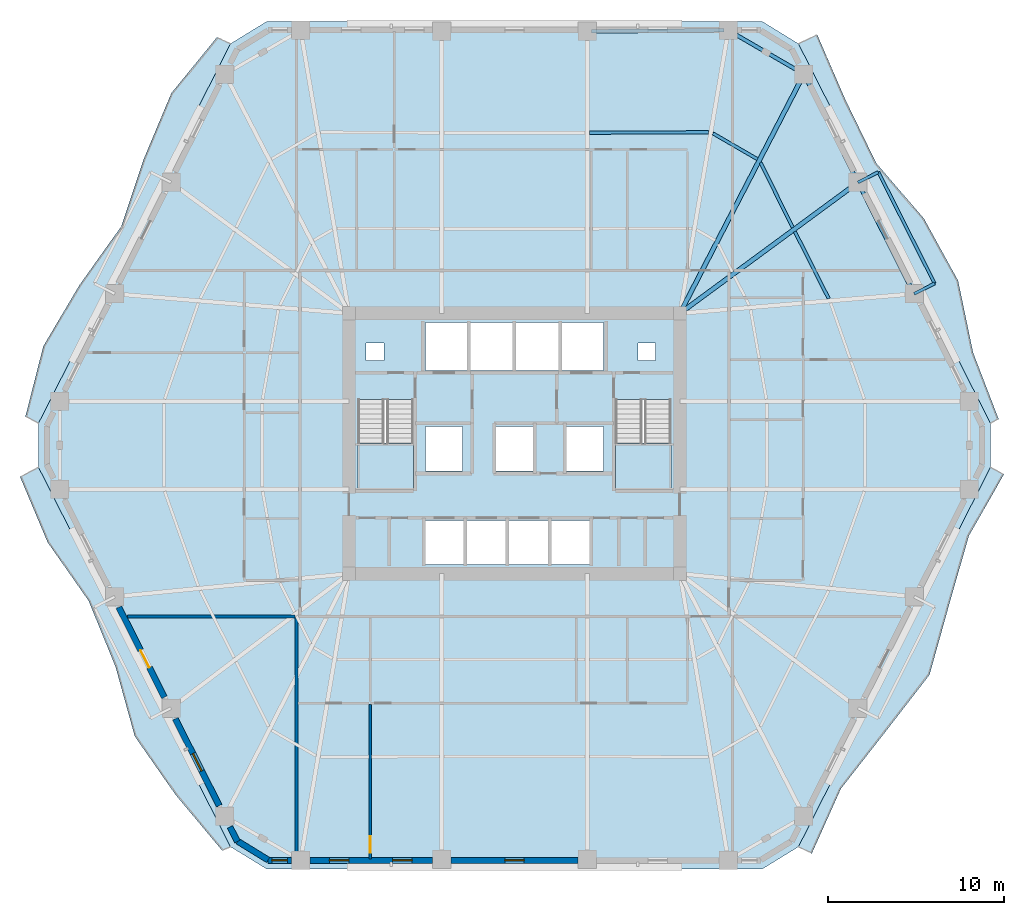
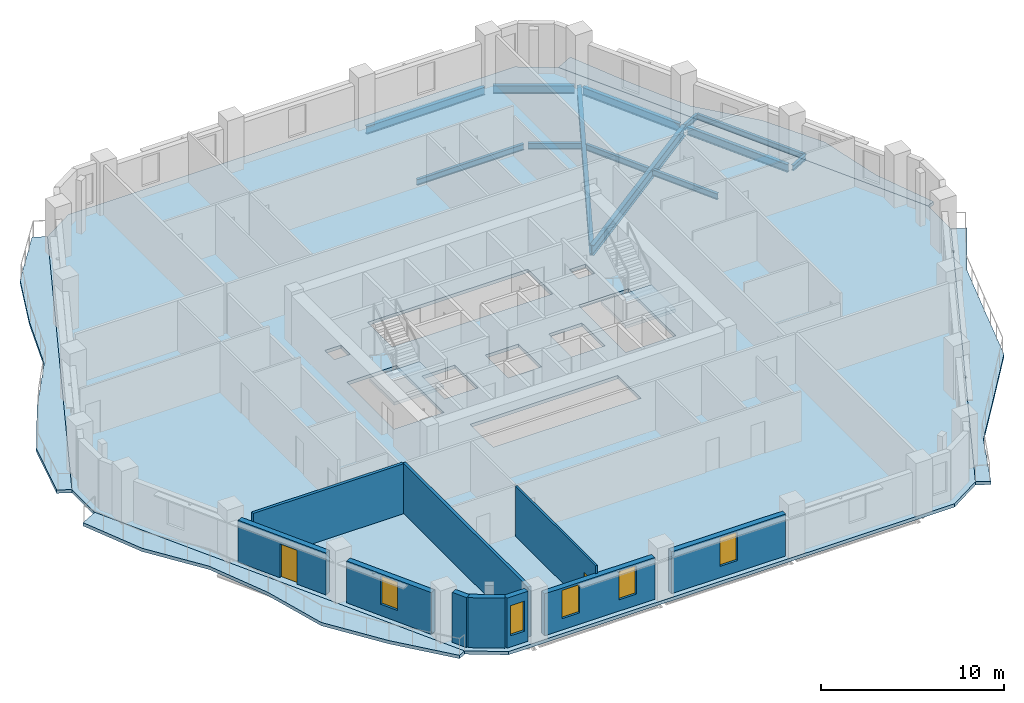
# One storey, part 3 of 13: 13 beams, 10 walls, 7 slabs, 5 windows, 2 doors, 7 openings, 2 elements without a shape of their own.
"""IFC4 building model written with IfcOpenShell, lengths in metres."""

from ifc_helpers import new_model, si_unit, direction, frame, frame_2d, origin, origin_2d, place, context, subcontext, project, spatial, polyline, rectangle, i_section, outline, extrude, material, layer, layer_set, material_profile, profile_set, type_object, element, fill, aggregate, save


model = new_model("IFC4")

# Units and contexts
model_context = context("Model", 3, precision=1e-05, world=origin(), true_north=direction((0.0, 1.0)))
body_context = subcontext(model_context, "Body", "Model", "MODEL_VIEW")
ifc_project = project(units=[si_unit("LENGTHUNIT", "METRE"), si_unit("AREAUNIT", "SQUARE_METRE"), si_unit("VOLUMEUNIT", "CUBIC_METRE"), si_unit("PLANEANGLEUNIT", "RADIAN"), si_unit("MASSUNIT", "GRAM", prefix="KILO")], contexts=[model_context])

# Site, building, storey
site_placement = place(None, origin())
site = spatial("IfcSite", under=ifc_project, at=site_placement, CompositionType="ELEMENT")
building_placement = place(site_placement, origin())
building = spatial("IfcBuilding", under=site, at=building_placement, Name="Cinnabar Lancet Tower", CompositionType="ELEMENT")
storey_placement = place(building_placement, frame((0.0, 0.0, 80.0)))
storey = spatial("IfcBuildingStorey", under=building, at=storey_placement, Name="L20", CompositionType="ELEMENT", Elevation=80.0)

# Beams
ifc_material_1 = material(Name="Structural steel S355", Category="steel")
ifc_material_profile_1 = material_profile(ifc_material_1, i_section(OverallWidth=0.177978515625, OverallDepth=0.406494140625, WebThickness=0.0078125, FlangeThickness=0.0126953125, FilletRadius=0.01025390625, at=origin_2d()), Name="UKB 406x178x60")
ifc_profile_set_1 = profile_set([ifc_material_profile_1], Name="Structural steel S355")
beam_type_1 = type_object("IfcBeamType", Name="STR-BM-JST-406", PredefinedType="JOIST", material=ifc_profile_set_1)
beam_1_placement = place(storey_placement, frame((50.20703125, 34.10400390625, -0.423095703125), z_axis=(-0.450763900798, 0.892643213012, 0.0), x_axis=(-0.892643213012, -0.450763900798, 0.0)))
element("IfcBeam", 1, at=beam_1_placement, inside=storey, type_object=beam_type_1, Name="L20 Secondary Floor Joist 27", PredefinedType="JOIST", context=body_context, shape_type="SweptSolid", body=[
    extrude(i_section(OverallWidth=0.177978515625, OverallDepth=0.406494140625, WebThickness=0.0078125, FlangeThickness=0.0126953125, FilletRadius=0.01025390625, at=origin_2d()), origin(), (0.0, 0.0, 1.0), 4.25927734375),
])
beam_2_placement = place(storey_placement, frame((48.1708984375, 38.135986328125, -0.423095703125), z_axis=(-0.445617778616, 0.895223321513, 0.0), x_axis=(-0.895223321513, -0.445617778616, 0.0)))
element("IfcBeam", 2, at=beam_2_placement, inside=storey, type_object=beam_type_1, Name="L20 Secondary Floor Joist 29", PredefinedType="JOIST", context=body_context, shape_type="SweptSolid", body=[
    extrude(i_section(OverallWidth=0.177978515625, OverallDepth=0.406494140625, WebThickness=0.0078125, FlangeThickness=0.0126953125, FilletRadius=0.01025390625, at=origin_2d()), origin(), (0.0, 0.0, 1.0), 4.101806640625),
])
beam_3_placement = place(storey_placement, frame((46.1630859375, 42.011962890625, -0.423095703125), z_axis=(-0.865230791262, 0.501373790551, 0.0), x_axis=(-0.501373790551, -0.865230791262, 0.0)))
element("IfcBeam", 3, at=beam_3_placement, inside=storey, type_object=beam_type_1, Name="L20 Secondary Floor Joist 31", PredefinedType="JOIST", context=body_context, shape_type="SweptSolid", body=[
    extrude(i_section(OverallWidth=0.177978515625, OverallDepth=0.406494140625, WebThickness=0.0078125, FlangeThickness=0.0126953125, FilletRadius=0.01025390625, at=origin_2d()), origin(), (0.0, 0.0, 1.0), 2.907958984375),
])
beam_4_placement = place(storey_placement, frame((43.40087890625, 43.537109375, -0.423095703125), z_axis=(-0.99998860979, -0.004772870136, 0.0), x_axis=(0.004772870136, -0.99998860979, 0.0)))
element("IfcBeam", 4, at=beam_4_placement, inside=storey, type_object=beam_type_1, Name="L20 Secondary Floor Joist 33", PredefinedType="JOIST", context=body_context, shape_type="SweptSolid", body=[
    extrude(i_section(OverallWidth=0.177978515625, OverallDepth=0.406494140625, WebThickness=0.0078125, FlangeThickness=0.0126953125, FilletRadius=0.01025390625, at=origin_2d()), origin(), (0.0, 0.0, 1.0), 6.751953125),
])
ifc_material_2 = material(Name="Structural steel S355", Category="steel")
ifc_material_profile_2 = material_profile(ifc_material_2, i_section(OverallWidth=0.209228515625, OverallDepth=0.533203125, WebThickness=0.010009765625, FlangeThickness=0.015625, FilletRadius=0.0126953125, at=origin_2d()), Name="UKB 533x210x92")
ifc_profile_set_2 = profile_set([ifc_material_profile_2], Name="Structural steel S355")
beam_type_2 = type_object("IfcBeamType", Name="STR-BM-SPN-533", PredefinedType="SPANDREL", material=ifc_profile_set_2)
beam_5_placement = place(storey_placement, frame((54.93310546875, 34.60302734375, -0.487060546875), z_axis=(-0.450703143926, 0.892673891214, 0.0), x_axis=(-0.892673891214, -0.450703143926, 0.0)))
element("IfcBeam", 5, at=beam_5_placement, inside=storey, type_object=beam_type_2, Name="L20 Perimeter Spandrel 10", PredefinedType="SPANDREL", context=body_context, shape_type="SweptSolid", body=[
    extrude(i_section(OverallWidth=0.209228515625, OverallDepth=0.533203125, WebThickness=0.010009765625, FlangeThickness=0.015625, FilletRadius=0.0126953125, at=origin_2d()), origin(), (0.0, 0.0, 1.0), 6.570068359375),
])
beam_6_placement = place(storey_placement, frame((51.748046875, 40.9150390625, -0.487060546875), z_axis=(-0.445953050023, 0.89505635419, 0.0), x_axis=(-0.89505635419, -0.445953050023, 0.0)))
element("IfcBeam", 6, at=beam_6_placement, inside=storey, type_object=beam_type_2, Name="L20 Perimeter Spandrel 11", PredefinedType="SPANDREL", context=body_context, shape_type="SweptSolid", body=[
    extrude(i_section(OverallWidth=0.209228515625, OverallDepth=0.533203125, WebThickness=0.010009765625, FlangeThickness=0.015625, FilletRadius=0.0126953125, at=origin_2d()), origin(), (0.0, 0.0, 1.0), 6.35498046875),
])
beam_7_placement = place(storey_placement, frame((48.5869140625, 46.951904296875, -0.487060546875), z_axis=(-0.865147238596, 0.501517951374, 0.0), x_axis=(-0.501517951374, -0.865147238596, 0.0)))
element("IfcBeam", 7, at=beam_7_placement, inside=storey, type_object=beam_type_2, Name="L20 Perimeter Spandrel 12", PredefinedType="SPANDREL", context=body_context, shape_type="SweptSolid", body=[
    extrude(i_section(OverallWidth=0.209228515625, OverallDepth=0.533203125, WebThickness=0.010009765625, FlangeThickness=0.015625, FilletRadius=0.0126953125, at=origin_2d()), origin(), (0.0, 0.0, 1.0), 4.454833984375),
])
beam_8_placement = place(storey_placement, frame((44.26708984375, 49.30908203125, -0.487060546875), z_axis=(-0.99997856757, -0.006547090947, 0.0), x_axis=(0.006547090947, -0.99997856757, 0.0)))
element("IfcBeam", 8, at=beam_8_placement, inside=storey, type_object=beam_type_2, Name="L20 Perimeter Spandrel 13", PredefinedType="SPANDREL", context=body_context, shape_type="SweptSolid", body=[
    extrude(i_section(OverallWidth=0.209228515625, OverallDepth=0.533203125, WebThickness=0.010009765625, FlangeThickness=0.015625, FilletRadius=0.0126953125, at=origin_2d()), origin(), (0.0, 0.0, 1.0), 7.495361328125),
])
ifc_material_3 = material(Name="Structural steel S355", Category="steel")
ifc_material_profile_3 = material_profile(ifc_material_3, i_section(OverallWidth=0.253662109375, OverallDepth=0.68359375, WebThickness=0.012451171875, FlangeThickness=0.01904296875, FilletRadius=0.01513671875, at=origin_2d()), Name="UKB 686x254x140")
ifc_profile_set_3 = profile_set([ifc_material_profile_3], Name="Structural steel S355")
beam_type_3 = type_object("IfcBeamType", Name="STR-BM-UKB686-140", PredefinedType="BEAM", material=ifc_profile_set_3)
beam_9_placement = place(storey_placement, frame((51.85888671875, 40.69091796875, -0.56201171875), z_axis=(-0.805600633978, -0.592458959367, 0.0), x_axis=(0.592458959367, -0.805600633978, 0.0)))
element("IfcBeam", 9, at=beam_9_placement, inside=storey, type_object=beam_type_3, Name="L20 Corner Collector Girder 3", PredefinedType="BEAM", context=body_context, shape_type="SweptSolid", body=[
    extrude(i_section(OverallWidth=0.253662109375, OverallDepth=0.68359375, WebThickness=0.012451171875, FlangeThickness=0.01904296875, FilletRadius=0.01513671875, at=origin_2d()), origin(), (0.0, 0.0, 1.0), 12.517333984375),
])
beam_10_placement = place(storey_placement, frame((48.802978515625, 46.826904296875, -0.56201171875), z_axis=(-0.4603745807, -0.887724757706, 0.0), x_axis=(0.887724757706, -0.4603745807, 0.0)))
element("IfcBeam", 10, at=beam_10_placement, inside=storey, type_object=beam_type_3, Name="L20 Primary Floor Girder 12", PredefinedType="BEAM", context=body_context, shape_type="SweptSolid", body=[
    extrude(i_section(OverallWidth=0.253662109375, OverallDepth=0.68359375, WebThickness=0.012451171875, FlangeThickness=0.01904296875, FilletRadius=0.01513671875, at=origin_2d()), origin(), (0.0, 0.0, 1.0), 15.26611328125),
])
ifc_material_4 = material(Name="Structural steel S355", Category="steel")
ifc_material_profile_4 = material_profile(ifc_material_4, i_section(OverallWidth=0.17138671875, OverallDepth=0.35498046875, WebThickness=0.00732421875, FlangeThickness=0.011474609375, FilletRadius=0.01025390625, at=origin_2d()), Name="UKB 356x171x51")
ifc_profile_set_4 = profile_set([ifc_material_profile_4], Name="Structural steel S355")
beam_type_4 = type_object("IfcBeamType", Name="STR-BM-WAV-OUT", PredefinedType="BEAM", material=ifc_profile_set_4)
for number, where, z_axis, x_axis, name in (
    (11, (55.0458984375, 34.3798828125, -0.39697265625), (0.892238560088, 0.451564338597, 0.0), (-0.451564338597, 0.892238560088, 0.0), "L20 Face 3 Balcony Outlooker A"),
    (12, (51.85888671875, 40.69091796875, -0.39697265625), (0.892238560088, 0.451564338597, 0.0), (-0.451564338597, 0.892238560088, 0.0), "L20 Face 3 Balcony Outlooker B"),
):
    element("IfcBeam", number, at=place(storey_placement, frame(where, z_axis=z_axis, x_axis=x_axis)), inside=storey, type_object=beam_type_4, Name=name, PredefinedType="BEAM", context=body_context, shape_type="SweptSolid", body=[
        extrude(i_section(OverallWidth=0.17138671875, OverallDepth=0.35498046875, WebThickness=0.00732421875, FlangeThickness=0.011474609375, FilletRadius=0.01025390625, at=origin_2d()), origin(), (0.0, 0.0, 1.0), 1.30029296875),
    ])
ifc_material_5 = material(Name="Structural steel S355", Category="steel")
ifc_material_profile_5 = material_profile(ifc_material_5, i_section(OverallWidth=0.17138671875, OverallDepth=0.35498046875, WebThickness=0.00732421875, FlangeThickness=0.011474609375, FilletRadius=0.01025390625, at=origin_2d()), Name="UKB 356x171x51")
ifc_profile_set_5 = profile_set([ifc_material_profile_5], Name="Structural steel S355")
beam_type_5 = type_object("IfcBeamType", Name="STR-BM-WAV-TRIM", PredefinedType="SPANDREL", material=ifc_profile_set_5)
beam_11_placement = place(storey_placement, frame((56.2060546875, 34.967041015625, -0.39697265625), z_axis=(-0.450773692627, 0.892638268301, 0.0), x_axis=(-0.892638268301, -0.450773692627, 0.0)))
element("IfcBeam", 13, at=beam_11_placement, inside=storey, type_object=beam_type_5, Name="L20 Face 3 Balcony Edge Trimmer", PredefinedType="SPANDREL", context=body_context, shape_type="SweptSolid", body=[
    extrude(i_section(OverallWidth=0.17138671875, OverallDepth=0.35498046875, WebThickness=0.00732421875, FlangeThickness=0.011474609375, FilletRadius=0.01025390625, at=origin_2d()), origin(), (0.0, 0.0, 1.0), 7.070068359375),
])

# Stair, slab
ifc_material_6 = material(Name="Concrete C40/50", Category="concrete")
stair_type = type_object("IfcStairType", Name="ST-CORE", PredefinedType="HALF_TURN_STAIR", material=ifc_material_6)
stair_1_placement = place(storey_placement, origin())
stair_1 = element("IfcStair", 14, at=stair_1_placement, inside=storey, type_object=stair_type, Name="L20 ST-1", PredefinedType="HALF_TURN_STAIR")
ifc_material_7 = material(Name="Concrete C40/50", Category="concrete")
ifc_layer_1 = layer(ifc_material_7, 0.199951171875)
ifc_layer_set_1 = layer_set([ifc_layer_1], Name="Concrete C40/50")
slab_type_1 = type_object("IfcSlabType", Name="LANDING-CORE", PredefinedType="LANDING", material=ifc_layer_set_1)
slab_1_placement = place(storey_placement, frame((0.0, 0.0, 1.574951171875)))
slab_1 = element("IfcSlab", 15, at=slab_1_placement, type_object=slab_type_1, Name="ST-1 landing 1", PredefinedType="LANDING", context=body_context, shape_type="SweptSolid", body=[
    extrude(outline(polyline([(23.52490234375, 25.925048828125), (23.52490234375, 23.25), (26.675048828125, 23.25), (26.675048828125, 25.925048828125), (23.52490234375, 25.925048828125)])), origin(), (0.0, 0.0, 1.0), 0.199951171875),
])
aggregate(stair_1, [slab_1])

stair_2_placement = place(storey_placement, origin())
stair_2 = element("IfcStair", 16, at=stair_2_placement, inside=storey, type_object=stair_type, Name="L20 ST-2", PredefinedType="HALF_TURN_STAIR")
slab_2_placement = place(storey_placement, frame((0.0, 0.0, 1.574951171875)))
slab_2 = element("IfcSlab", 17, at=slab_2_placement, type_object=slab_type_1, Name="ST-2 landing 1", PredefinedType="LANDING", context=body_context, shape_type="SweptSolid", body=[
    extrude(outline(polyline([(38.125, 25.925048828125), (38.125, 23.25), (41.27490234375, 23.25), (41.27490234375, 25.925048828125), (38.125, 25.925048828125)])), origin(), (0.0, 0.0, 1.0), 0.199951171875),
])
aggregate(stair_2, [slab_2])

# Slabs
ifc_material_8 = material(Name="Concrete C40/50", Category="concrete")
ifc_layer_2 = layer(ifc_material_8, 0.219970703125)
ifc_layer_set_2 = layer_set([ifc_layer_2], Name="Concrete C40/50")
slab_type_2 = type_object("IfcSlabType", Name="STR-SLB-FLR-220", PredefinedType="FLOOR", material=ifc_layer_set_2)
slab_3_placement = place(storey_placement, frame((0.0, 0.0, -0.219970703125)))
element("IfcSlab", 18, at=slab_3_placement, inside=storey, type_object=slab_type_2, Name="L20 Structural Floor Slab", PredefinedType="FLOOR", context=body_context, shape_type="SweptSolid", body=[
    extrude(outline(polyline([(16.31201171875, 3.049072265625), (18.343994140625, 1.800048828125), (46.4560546875, 1.800048828125), (48.488037109375, 3.049072265625), (59.367919921875, 24.551025390625), (59.367919921875, 27.049072265625), (48.488037109375, 48.551025390625), (46.4560546875, 49.800048828125), (18.343994140625, 49.800048828125), (16.31201171875, 48.551025390625), (5.431884765625, 27.049072265625), (5.431884765625, 24.551025390625), (16.31201171875, 3.049072265625)]), holes=[polyline([(23.52490234375, 23.25), (26.675048828125, 23.25), (26.675048828125, 28.3994140625), (23.52490234375, 28.3994140625), (23.52490234375, 23.25)]), polyline([(38.125, 23.25), (41.27490234375, 23.25), (41.27490234375, 28.3994140625), (38.125, 28.3994140625), (38.125, 23.25)]), polyline([(27.35009765625, 30.050048828125), (37.449951171875, 30.050048828125), (37.449951171875, 32.75), (27.35009765625, 32.75), (27.35009765625, 30.050048828125)]), polyline([(27.35009765625, 19.050048828125), (36.64990234375, 19.050048828125), (36.64990234375, 21.550048828125), (27.35009765625, 21.550048828125), (27.35009765625, 19.050048828125)]), polyline([(27.35009765625, 24.35009765625), (29.449951171875, 24.35009765625), (29.449951171875, 26.85009765625), (27.35009765625, 26.85009765625), (27.35009765625, 24.35009765625)]), polyline([(35.35009765625, 24.35009765625), (37.449951171875, 24.35009765625), (37.449951171875, 26.85009765625), (35.35009765625, 26.85009765625), (35.35009765625, 24.35009765625)]), polyline([(31.35009765625, 24.35009765625), (33.449951171875, 24.35009765625), (33.449951171875, 26.85009765625), (31.35009765625, 26.85009765625), (31.35009765625, 24.35009765625)]), polyline([(24.0, 30.60009765625), (25.0, 30.60009765625), (25.0, 31.60009765625), (24.0, 31.60009765625), (24.0, 30.60009765625)]), polyline([(39.39990234375, 30.60009765625), (40.39990234375, 30.60009765625), (40.39990234375, 31.60009765625), (39.39990234375, 31.60009765625), (39.39990234375, 30.60009765625)])]), origin(), (0.0, 0.0, 1.0), 0.219970703125),
])
ifc_material_9 = material(Name="Concrete C45/55", Category="concrete")
ifc_layer_3 = layer(ifc_material_9, 0.219970703125)
ifc_layer_set_3 = layer_set([ifc_layer_3], Name="Concrete C45/55")
slab_type_3 = type_object("IfcSlabType", Name="STR-SLB-WAV-220", PredefinedType="FLOOR", material=ifc_layer_set_3)
slab_4_placement = place(storey_placement, frame((0.0, 0.0, -0.219970703125)))
element("IfcSlab", 19, at=slab_4_placement, inside=storey, type_object=slab_type_3, Name="L20 Face 2 Undulating Wave Balcony Slab", PredefinedType="FLOOR", context=body_context, shape_type="SweptSolid", body=[
    extrude(outline(polyline([(48.488037109375, 3.049072265625), (49.242919921875, 2.6669921875), (50.888916015625, 6.3349609375), (53.412109375, 9.56005859375), (55.9150390625, 12.7939453125), (57.01708984375, 16.738037109375), (58.14306640625, 20.669921875), (60.135986328125, 24.162109375), (59.367919921875, 24.551025390625), (48.488037109375, 3.049072265625)])), origin(), (0.0, 0.0, 1.0), 0.219970703125),
])
slab_5_placement = place(storey_placement, frame((0.0, 0.0, -0.219970703125)))
element("IfcSlab", 20, at=slab_5_placement, inside=storey, type_object=slab_type_3, Name="L20 Face 3 Undulating Wave Balcony Slab", PredefinedType="FLOOR", context=body_context, shape_type="SweptSolid", body=[
    extrude(outline(polyline([(59.367919921875, 27.049072265625), (59.830078125, 27.282958984375), (58.383056640625, 31.052001953125), (57.534912109375, 35.1240234375), (55.597900390625, 38.64501953125), (52.89794921875, 41.780029296875), (51.14111328125, 45.39208984375), (49.5419921875, 49.083984375), (48.488037109375, 48.551025390625), (59.367919921875, 27.049072265625)])), origin(), (0.0, 0.0, 1.0), 0.219970703125),
])
slab_6_placement = place(storey_placement, frame((0.0, 0.0, -0.219970703125)))
element("IfcSlab", 21, at=slab_6_placement, inside=storey, type_object=slab_type_3, Name="L20 Face 5 Undulating Wave Balcony Slab", PredefinedType="FLOOR", context=body_context, shape_type="SweptSolid", body=[
    extrude(outline(polyline([(16.31201171875, 48.551025390625), (15.556884765625, 48.93310546875), (12.9580078125, 45.7470703125), (11.403076171875, 42.032958984375), (10.113037109375, 38.18408203125), (7.75390625, 34.876953125), (5.705078125, 31.412109375), (4.68994140625, 27.425048828125), (5.431884765625, 27.049072265625), (16.31201171875, 48.551025390625)])), origin(), (0.0, 0.0, 1.0), 0.219970703125),
])
slab_7_placement = place(storey_placement, frame((0.0, 0.0, -0.219970703125)))
element("IfcSlab", 22, at=slab_7_placement, inside=storey, type_object=slab_type_3, Name="L20 Face 6 Undulating Wave Balcony Slab", PredefinedType="FLOOR", context=body_context, shape_type="SweptSolid", body=[
    extrude(outline(polyline([(5.431884765625, 24.551025390625), (4.384033203125, 24.02099609375), (5.946044921875, 20.31005859375), (8.27197265625, 16.986083984375), (9.7958984375, 13.256103515625), (10.887939453125, 9.306884765625), (13.2099609375, 5.98095703125), (15.85595703125, 2.818115234375), (16.31201171875, 3.049072265625), (5.431884765625, 24.551025390625)])), origin(), (0.0, 0.0, 1.0), 0.219970703125),
])

# Walls
ifc_material_10 = material(Name="Fire-rated twin-frame acoustic drywall", Category="gypsum")
ifc_layer_4 = layer(ifc_material_10, 0.179931640625)
ifc_layer_set_4 = layer_set([ifc_layer_4], Name="Fire-rated twin-frame acoustic drywall")
wall_type_1 = type_object("IfcWallType", Name="ARC-WL-PARTY-180", PredefinedType="PARTITIONING", material=ifc_layer_set_4)
wall_1_placement = place(storey_placement, frame((20.050048828125, 2.455078125, 0.0), z_axis=(0.0, 0.0, 1.0), x_axis=(0.0, 1.0, 0.0)))
element("IfcWall", 23, at=wall_1_placement, inside=storey, type_object=wall_type_1, Name="PW-L20-SPTY-200", PredefinedType="PARTITIONING", context=body_context, shape_type="SweptSolid", body=[
    extrude(rectangle(XDim=13.64501953125, YDim=0.179931640625, at=frame_2d((6.822509765625, 0.0))), origin(), (0.0, 0.0, 1.0), 3.330078125),
])
wall_2_placement = place(storey_placement, frame((10.488037109375, 16.10009765625, 0.0), z_axis=(0.0, 0.0, 1.0), x_axis=(1.0, 0.0, 0.0)))
element("IfcWall", 24, at=wall_2_placement, inside=storey, type_object=wall_type_1, Name="PW-L20-WSB", PredefinedType="PARTITIONING", context=body_context, shape_type="SweptSolid", body=[
    extrude(rectangle(XDim=9.467041015625, YDim=0.179931640625, at=frame_2d((4.7333984375, 0.0))), origin(), (0.0, 0.0, 1.0), 3.330078125),
])

# Wall, opening, door
ifc_material_11 = material(Name="Gypsum plasterboard stud partition", Category="gypsum")
ifc_layer_5 = layer(ifc_material_11, 0.125)
ifc_layer_set_5 = layer_set([ifc_layer_5], Name="Gypsum plasterboard stud partition")
wall_type_2 = type_object("IfcWallType", Name="ARC-WL-UNIT-125", PredefinedType="PARTITIONING", material=ifc_layer_set_5)
wall_3_placement = place(storey_placement, frame((24.22998046875, 2.364990234375, 0.0), z_axis=(0.0, 0.0, 1.0), x_axis=(0.0, 1.0, 0.0)))
wall_3 = element("IfcWall", 25, at=wall_3_placement, inside=storey, type_object=wall_type_2, Name="UW-L20-S01-MBW", PredefinedType="PARTITIONING", context=body_context, shape_type="SweptSolid", body=[
    extrude(rectangle(XDim=8.748046875, YDim=0.125, at=frame_2d((4.3740234375, 0.0))), origin(), (0.0, 0.0, 1.0), 3.330078125),
])
opening_1_placement = place(wall_3_placement, frame((0.35009765625, 0.0, 0.0)))
opening_1 = element("IfcOpeningElement", 26, at=opening_1_placement, cuts=wall_3, Name="Opening RD-01", PredefinedType="OPENING", context=body_context, shape_type="SweptSolid", body=[
    extrude(rectangle(XDim=0.919921875, YDim=2.14990234375, at=frame_2d((0.4599609375, 1.074951171875))), frame((0.0, 0.072509765625, 0.0), z_axis=(0.0, -1.0, 0.0), x_axis=(1.0, 0.0, 0.0)), (0.0, 0.0, 1.0), 0.14501953125),
])
ifc_material_12 = material(Name="Engineered timber bedroom door", Category="wood")
door_type_1 = type_object("IfcDoorType", Name="ARC-DR-ROOM", OperationType="NOTDEFINED", PredefinedType="DOOR", material=ifc_material_12)
door_1_placement = place(opening_1_placement, origin())
door_1 = element("IfcDoor", 27, at=door_1_placement, inside=storey, type_object=door_type_1, Name="DR-L20-S01-MBD", OperationType="SINGLE_SWING_LEFT", OverallHeight=2.14990234375, OverallWidth=0.919921875, PredefinedType="DOOR", context=body_context, shape_type="SweptSolid", body=[
    extrude(rectangle(XDim=0.919921875, YDim=2.14990234375, at=frame_2d((0.4599609375, 1.074951171875))), frame((0.0, 0.02490234375, 0.0), z_axis=(0.0, -1.0, 0.0), x_axis=(1.0, 0.0, 0.0)), (0.0, 0.0, 1.0), 0.050048828125),
])
fill(opening_1, door_1)

# Wall
ifc_material_13 = material(Name="Cinnabar red clay brick", Category="masonry")
ifc_layer_6 = layer(ifc_material_13, 0.340087890625)
ifc_layer_set_6 = layer_set([ifc_layer_6], Name="Cinnabar red clay brick")
wall_type_3 = type_object("IfcWallType", Name="ENV-WL-BRK-RED-340", PredefinedType="STANDARD", material=ifc_layer_set_6)
wall_4_placement = place(storey_placement, frame((16.719970703125, 3.362060546875, 0.0), z_axis=(0.0, 0.0, 1.0), x_axis=(0.851816122478, -0.523840904748, 0.0)))
element("IfcWall", 28, at=wall_4_placement, inside=storey, type_object=wall_type_3, Name="L20 Chamfered Corner Brick Pier 1.1", PredefinedType="STANDARD", context=body_context, shape_type="SweptSolid", body=[
    extrude(rectangle(XDim=2.01806640625, YDim=0.340087890625, at=frame_2d((1.009033203125, 0.0))), origin(), (0.0, 0.0, 1.0), 3.330078125),
])

# Wall, opening, window
wall_5_placement = place(storey_placement, frame((18.43408203125, 2.280029296875, 0.0), z_axis=(0.0, 0.0, 1.0), x_axis=(1.0, 0.0, 0.0)))
wall_5 = element("IfcWall", 29, at=wall_5_placement, inside=storey, type_object=wall_type_3, Name="L20 Face 1 Masonry Bay Wall 1", PredefinedType="STANDARD", context=body_context, shape_type="SweptSolid", body=[
    extrude(rectangle(XDim=1.31982421875, YDim=0.340087890625, at=frame_2d((0.659912109375, 0.0))), origin(), (0.0, 0.0, 1.0), 3.330078125),
])
opening_2_placement = place(wall_5_placement, frame((0.219970703125, 0.0, 0.75)))
opening_2 = element("IfcOpeningElement", 30, at=opening_2_placement, cuts=wall_5, Name="Opening WN-04", PredefinedType="OPENING", context=body_context, shape_type="SweptSolid", body=[
    extrude(rectangle(XDim=0.8798828125, YDim=2.0, at=frame_2d((0.43994140625, 1.0))), frame((0.0, 0.179931640625, 0.0), z_axis=(0.0, -1.0, 0.0), x_axis=(1.0, 0.0, 0.0)), (0.0, 0.0, 1.0), 0.360107421875),
])
ifc_material_14 = material(Name="Thermally broken bronze-anodized aluminium tall lancet window", Category="aluminium")
window_type = type_object("IfcWindowType", Name="ENV-WN-LANCET-1100", PartitioningType="SINGLE_PANEL", PredefinedType="WINDOW", material=ifc_material_14)
window_1_placement = place(opening_2_placement, origin())
window_1 = element("IfcWindow", 31, at=window_1_placement, inside=storey, type_object=window_type, Name="L20 Split-Bay Gothic Lancet Window 50", OverallHeight=2.0, OverallWidth=0.8798828125, PartitioningType="SINGLE_PANEL", PredefinedType="WINDOW", context=body_context, shape_type="SweptSolid", body=[
    extrude(rectangle(XDim=0.8798828125, YDim=2.0, at=frame_2d((0.43994140625, 1.0))), frame((0.0, 0.030029296875, 0.0), z_axis=(0.0, -1.0, 0.0), x_axis=(1.0, 0.0, 0.0)), (0.0, 0.0, 1.0), 0.06005859375),
])
fill(opening_2, window_1)

# Wall, openings, windows
wall_6_placement = place(storey_placement, frame((20.81201171875, 2.280029296875, 0.0), z_axis=(0.0, 0.0, 1.0), x_axis=(1.0, 0.0, 0.0)))
wall_6 = element("IfcWall", 32, at=wall_6_placement, inside=storey, type_object=wall_type_3, Name="L20 Face 1 Masonry Bay Wall 2", PredefinedType="STANDARD", context=body_context, shape_type="SweptSolid", body=[
    extrude(rectangle(XDim=6.93701171875, YDim=0.340087890625, at=frame_2d((3.468505859375, 0.0))), origin(), (0.0, 0.0, 1.0), 2.787109375),
])
opening_3_placement = place(wall_6_placement, frame((1.10302734375, 0.0, 0.75)))
opening_3 = element("IfcOpeningElement", 33, at=opening_3_placement, cuts=wall_6, Name="Opening WN-04", PredefinedType="OPENING", context=body_context, shape_type="SweptSolid", body=[
    extrude(rectangle(XDim=1.10009765625, YDim=1.886962890625, at=frame_2d((0.550048828125, 0.943359375))), frame((0.0, 0.179931640625, 0.0), z_axis=(0.0, -1.0, 0.0), x_axis=(1.0, 0.0, 0.0)), (0.0, 0.0, 1.0), 0.360107421875),
])
opening_4_placement = place(wall_6_placement, frame((4.68408203125, 0.0, 0.75)))
opening_4 = element("IfcOpeningElement", 34, at=opening_4_placement, cuts=wall_6, Name="Opening WN-04", PredefinedType="OPENING", context=body_context, shape_type="SweptSolid", body=[
    extrude(rectangle(XDim=1.10009765625, YDim=1.886962890625, at=frame_2d((0.550048828125, 0.943359375))), frame((0.0, 0.179931640625, 0.0), z_axis=(0.0, -1.0, 0.0), x_axis=(1.0, 0.0, 0.0)), (0.0, 0.0, 1.0), 0.360107421875),
])
window_2_placement = place(opening_3_placement, origin())
window_2 = element("IfcWindow", 35, at=window_2_placement, inside=storey, type_object=window_type, Name="L20 Face 1 Gothic Lancet Window 2", OverallHeight=1.886962890625, OverallWidth=1.10009765625, PartitioningType="SINGLE_PANEL", PredefinedType="WINDOW", context=body_context, shape_type="SweptSolid", body=[
    extrude(rectangle(XDim=1.10009765625, YDim=1.886962890625, at=frame_2d((0.550048828125, 0.943359375))), frame((0.0, 0.030029296875, 0.0), z_axis=(0.0, -1.0, 0.0), x_axis=(1.0, 0.0, 0.0)), (0.0, 0.0, 1.0), 0.06005859375),
])
fill(opening_3, window_2)
window_3_placement = place(opening_4_placement, origin())
window_3 = element("IfcWindow", 36, at=window_3_placement, inside=storey, type_object=window_type, Name="L20 Split-Bay Gothic Lancet Window 51", OverallHeight=1.886962890625, OverallWidth=1.10009765625, PartitioningType="SINGLE_PANEL", PredefinedType="WINDOW", context=body_context, shape_type="SweptSolid", body=[
    extrude(rectangle(XDim=1.10009765625, YDim=1.886962890625, at=frame_2d((0.550048828125, 0.943359375))), frame((0.0, 0.030029296875, 0.0), z_axis=(0.0, -1.0, 0.0), x_axis=(1.0, 0.0, 0.0)), (0.0, 0.0, 1.0), 0.06005859375),
])
fill(opening_4, window_3)

# Wall, opening, window
wall_7_placement = place(storey_placement, frame((28.806884765625, 2.280029296875, 0.0), z_axis=(0.0, 0.0, 1.0), x_axis=(1.0, 0.0, 0.0)))
wall_7 = element("IfcWall", 37, at=wall_7_placement, inside=storey, type_object=wall_type_3, Name="L20 Face 1 Masonry Bay Wall 3", PredefinedType="STANDARD", context=body_context, shape_type="SweptSolid", body=[
    extrude(rectangle(XDim=7.18603515625, YDim=0.340087890625, at=frame_2d((3.593017578125, 0.0))), origin(), (0.0, 0.0, 1.0), 2.787109375),
])
opening_5_placement = place(wall_7_placement, frame((3.04296875, 0.0, 0.75)))
opening_5 = element("IfcOpeningElement", 38, at=opening_5_placement, cuts=wall_7, Name="Opening WN-04", PredefinedType="OPENING", context=body_context, shape_type="SweptSolid", body=[
    extrude(rectangle(XDim=1.10009765625, YDim=1.886962890625, at=frame_2d((0.550048828125, 0.943359375))), frame((0.0, 0.179931640625, 0.0), z_axis=(0.0, -1.0, 0.0), x_axis=(1.0, 0.0, 0.0)), (0.0, 0.0, 1.0), 0.360107421875),
])
window_4_placement = place(opening_5_placement, origin())
window_4 = element("IfcWindow", 39, at=window_4_placement, inside=storey, type_object=window_type, Name="L20 Face 1 Gothic Lancet Window 3", OverallHeight=1.886962890625, OverallWidth=1.10009765625, PartitioningType="SINGLE_PANEL", PredefinedType="WINDOW", context=body_context, shape_type="SweptSolid", body=[
    extrude(rectangle(XDim=1.10009765625, YDim=1.886962890625, at=frame_2d((0.550048828125, 0.943359375))), frame((0.0, 0.030029296875, 0.0), z_axis=(0.0, -1.0, 0.0), x_axis=(1.0, 0.0, 0.0)), (0.0, 0.0, 1.0), 0.06005859375),
])
fill(opening_5, window_4)

# Wall, opening, door
wall_8_placement = place(storey_placement, frame((9.986083984375, 16.614013671875, 0.0), z_axis=(0.0, 0.0, 1.0), x_axis=(0.45158267371, -0.892229280401, 0.0)))
wall_8 = element("IfcWall", 40, at=wall_8_placement, inside=storey, type_object=wall_type_3, Name="L20 Face 6 Masonry Bay Wall 3", PredefinedType="STANDARD", context=body_context, shape_type="SweptSolid", body=[
    extrude(rectangle(XDim=5.715087890625, YDim=0.340087890625, at=frame_2d((2.857421875, 0.0))), origin(), (0.0, 0.0, 1.0), 2.787109375),
])
opening_6_placement = place(wall_8_placement, frame((2.720947265625, 0.0, 0.0)))
opening_6 = element("IfcOpeningElement", 41, at=opening_6_placement, cuts=wall_8, Name="Opening TD-01", PredefinedType="OPENING", context=body_context, shape_type="SweptSolid", body=[
    extrude(rectangle(XDim=1.10009765625, YDim=2.25, at=frame_2d((0.550048828125, 1.125))), frame((0.0, 0.179931640625, 0.0), z_axis=(0.0, -1.0, 0.0), x_axis=(1.0, 0.0, 0.0)), (0.0, 0.0, 1.0), 0.360107421875),
])
ifc_material_15 = material(Name="Thermally broken low-E glazed balcony terrace door", Category="wood")
door_type_2 = type_object("IfcDoorType", Name="ARC-DR-BALC", OperationType="NOTDEFINED", PredefinedType="DOOR", material=ifc_material_15)
door_2_placement = place(opening_6_placement, origin())
door_2 = element("IfcDoor", 42, at=door_2_placement, inside=storey, type_object=door_type_2, Name="L20 Face 6 Glazed Terrace Door", OperationType="SINGLE_SWING_RIGHT", OverallHeight=2.25, OverallWidth=1.10009765625, PredefinedType="DOOR", context=body_context, shape_type="SweptSolid", body=[
    extrude(rectangle(XDim=1.10009765625, YDim=2.25, at=frame_2d((0.550048828125, 1.125))), frame((0.0, 0.02490234375, 0.0), z_axis=(0.0, -1.0, 0.0), x_axis=(1.0, 0.0, 0.0)), (0.0, 0.0, 1.0), 0.050048828125),
])
fill(opening_6, door_2)

# Wall, opening, window
wall_9_placement = place(storey_placement, frame((13.178955078125, 10.302978515625, 0.0), z_axis=(0.0, 0.0, 1.0), x_axis=(0.451719795315, -0.892159866011, 0.0)))
wall_9 = element("IfcWall", 43, at=wall_9_placement, inside=storey, type_object=wall_type_3, Name="L20 Face 6 Masonry Bay Wall 4", PredefinedType="STANDARD", context=body_context, shape_type="SweptSolid", body=[
    extrude(rectangle(XDim=5.519287109375, YDim=0.340087890625, at=frame_2d((2.759765625, 0.0))), origin(), (0.0, 0.0, 1.0), 2.787109375),
])
opening_7_placement = place(wall_9_placement, frame((2.2099609375, 0.0, 0.75)))
opening_7 = element("IfcOpeningElement", 44, at=opening_7_placement, cuts=wall_9, Name="Opening WN-04", PredefinedType="OPENING", context=body_context, shape_type="SweptSolid", body=[
    extrude(rectangle(XDim=1.10009765625, YDim=1.886962890625, at=frame_2d((0.550048828125, 0.943359375))), frame((0.0, 0.179931640625, 0.0), z_axis=(0.0, -1.0, 0.0), x_axis=(1.0, 0.0, 0.0)), (0.0, 0.0, 1.0), 0.360107421875),
])
window_5_placement = place(opening_7_placement, origin())
window_5 = element("IfcWindow", 45, at=window_5_placement, inside=storey, type_object=window_type, Name="L20 Face 6 Gothic Lancet Window 4", OverallHeight=1.886962890625, OverallWidth=1.10009765625, PartitioningType="SINGLE_PANEL", PredefinedType="WINDOW", context=body_context, shape_type="SweptSolid", body=[
    extrude(rectangle(XDim=1.10009765625, YDim=1.886962890625, at=frame_2d((0.550048828125, 0.943359375))), frame((0.0, 0.030029296875, 0.0), z_axis=(0.0, -1.0, 0.0), x_axis=(1.0, 0.0, 0.0)), (0.0, 0.0, 1.0), 0.06005859375),
])
fill(opening_7, window_5)

# Wall
wall_10_placement = place(storey_placement, frame((16.283935546875, 4.1669921875, 0.0), z_axis=(0.0, 0.0, 1.0), x_axis=(0.451981678291, -0.892027220711, 0.0)))
element("IfcWall", 46, at=wall_10_placement, inside=storey, type_object=wall_type_3, Name="L20 Face 6 Masonry Bay Wall 5", PredefinedType="STANDARD", context=body_context, shape_type="SweptSolid", body=[
    extrude(rectangle(XDim=0.92041015625, YDim=0.340087890625, at=frame_2d((0.460205078125, 0.0))), origin(), (0.0, 0.0, 1.0), 3.330078125),
])

save(model, "model.ifc")
